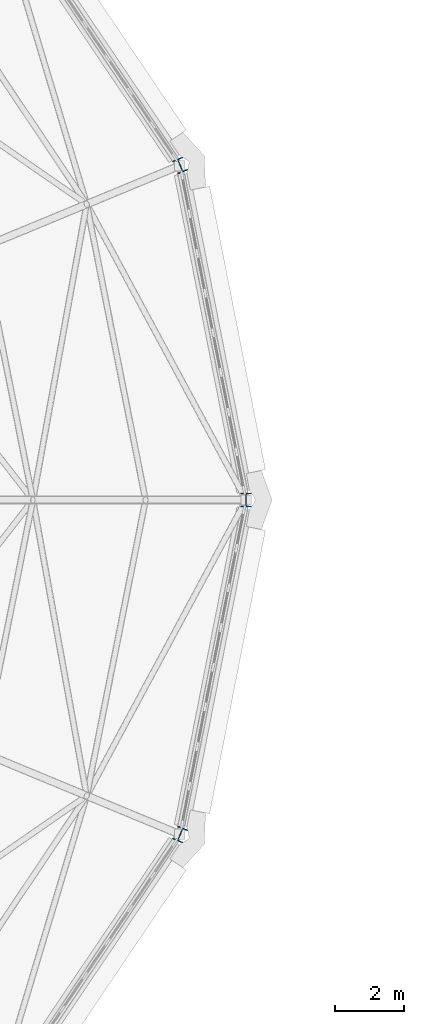
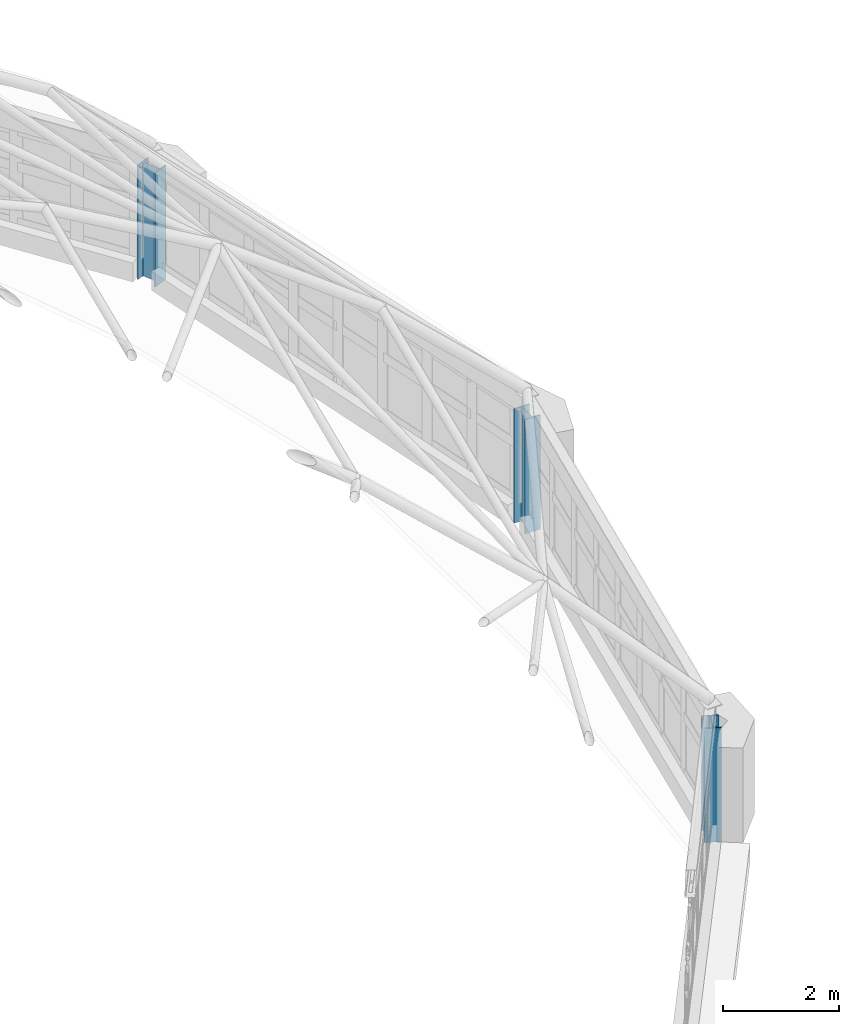
# One storey, part 3 of 68: 3 columns.
"""IFC4 building model written with IfcOpenShell, lengths in metres."""

import ifcopenshell
import ifcopenshell.guid

model = None  # the IFC model being written
_history = None  # IfcOwnerHistory: only IFC2X3 demands one
_inside = {}  # id of a spatial element -> (the spatial element, [elements in it])
_under = {}  # id of a project, library or spatial element -> (it, [spatial elements below it])
_declared = {}  # id of a project -> (the project, [libraries it declares])
_typed = {}  # id of a type object -> (the type object, [elements of that type])
_made_of = {}  # id of a material, layer set ... -> (it, [elements and type objects made of it])


def new_model(schema):
    """Start an empty IFC model of exactly this schema.

    Asked for "IFC4X3", IfcOpenShell would pick the latest addendum, in which some entities
    have other attributes; the version numbers below select the first issue.
    IFC2X3 requires an IfcOwnerHistory on every rooted entity: one is made here for all.
    """
    global model, _history
    if schema == "IFC4X3":
        model = ifcopenshell.file(schema_version=(4, 3, 0, 0))
    else:
        model = ifcopenshell.file(schema=schema)
    _inside.clear()
    _under.clear()
    _declared.clear()
    _typed.clear()
    _made_of.clear()
    _history = None
    if model.schema == "IFC2X3":
        org = make("IfcOrganization", Name="unknown")
        user = make(
            "IfcPersonAndOrganization",
            ThePerson=make("IfcPerson", FamilyName="unknown"),
            TheOrganization=org,
        )
        app = make(
            "IfcApplication",
            ApplicationDeveloper=org,
            Version="unknown",
            ApplicationFullName="unknown",
            ApplicationIdentifier="unknown",
        )
        _history = make(
            "IfcOwnerHistory",
            OwningUser=user,
            OwningApplication=app,
            ChangeAction="ADDED",
            CreationDate=0,
        )
    return model


def make(cls, **values):
    """One entity of the class cls with the attributes given. An attribute that is None is left unset."""
    return model.create_entity(
        cls, **{name: value for name, value in values.items() if value is not None}
    )


def rooted(cls, **values):
    """An entity with a GlobalId (a new one), such as an element, a storey or a relation."""
    return make(cls, GlobalId=ifcopenshell.guid.new(), OwnerHistory=_history, **values)


def si_unit(unit_type, name, prefix=None):
    """IfcSIUnit, for example si_unit("LENGTHUNIT", "METRE", prefix="MILLI")."""
    return make("IfcSIUnit", UnitType=unit_type, Prefix=prefix, Name=name)


def assignment(units):
    """IfcUnitAssignment: the units of a project."""
    return None if units is None else make("IfcUnitAssignment", Units=units)


def point(xyz):
    """IfcCartesianPoint."""
    return None if xyz is None else make("IfcCartesianPoint", Coordinates=xyz)


def direction(xyz):
    """IfcDirection."""
    return None if xyz is None else make("IfcDirection", DirectionRatios=xyz)


def frame(location, z_axis=None, x_axis=None):
    """IfcAxis2Placement3D, a coordinate frame: its origin and axes. An axis left out is left unset."""
    return make(
        "IfcAxis2Placement3D",
        Location=point(location),
        Axis=direction(z_axis),
        RefDirection=direction(x_axis),
    )


def frame_2d(location, x_axis=None):
    """IfcAxis2Placement2D, a coordinate frame in the plane: its origin and x axis."""
    return make(
        "IfcAxis2Placement2D", Location=point(location), RefDirection=direction(x_axis)
    )


def origin():
    """The frame at (0, 0, 0) with its axes left unset."""
    return frame((0.0, 0.0, 0.0))


def origin_2d():
    """The frame at (0, 0) in the plane with its x axis left unset."""
    return frame_2d((0.0, 0.0))


def place(relative_to, where):
    """IfcLocalPlacement: puts the frame where relative to a parent placement (None: the world)."""
    return make(
        "IfcLocalPlacement", PlacementRelTo=relative_to, RelativePlacement=where
    )


def context(
    kind, dimensions, precision=None, world=None, true_north=None, identifier=None
):
    """IfcGeometricRepresentationContext, for example the 3D "Model" context."""
    return make(
        "IfcGeometricRepresentationContext",
        ContextIdentifier=identifier,
        ContextType=kind,
        CoordinateSpaceDimension=dimensions,
        Precision=precision,
        WorldCoordinateSystem=world,
        TrueNorth=true_north,
    )


def subcontext(parent, identifier, kind, view, scale=None):
    """IfcGeometricRepresentationSubContext, for example "Body" below "Model"."""
    return make(
        "IfcGeometricRepresentationSubContext",
        ContextIdentifier=identifier,
        ContextType=kind,
        ParentContext=parent,
        TargetScale=scale,
        TargetView=view,
    )


def project(units=None, contexts=None):
    """IfcProject with its units and contexts."""
    return rooted(
        "IfcProject",
        Name="project",
        RepresentationContexts=contexts,
        UnitsInContext=assignment(units),
    )


def spatial(cls, under=None, at=None, **own):
    """A site, building, storey or space (cls), placed at a placement, below another one or the project."""
    s = rooted(cls, ObjectPlacement=at, **own)
    if under is not None:
        _under.setdefault(under.id(), (under, []))[1].append(s)
    return s


def profile(cls, at=None, kind="AREA", **sizes):
    """A parametric profile (cls). Its sizes go by their IFC names, for example OverallWidth=200.0."""
    return make(cls, ProfileType=kind, Position=at, **sizes)


def i_section(**sizes):
    """IfcIShapeProfileDef."""
    return profile("IfcIShapeProfileDef", **sizes)


def extrude(swept, where, along, depth):
    """IfcExtrudedAreaSolid: the profile swept, set in the frame where, extruded along a direction by depth."""
    return make(
        "IfcExtrudedAreaSolid",
        SweptArea=swept,
        Position=where,
        ExtrudedDirection=direction(along),
        Depth=depth,
    )


def shape(context_of_items, identifier, shape_type, items):
    """IfcShapeRepresentation: the items that make up one representation, for example the "Body"."""
    return make(
        "IfcShapeRepresentation",
        ContextOfItems=context_of_items,
        RepresentationIdentifier=identifier,
        RepresentationType=shape_type,
        Items=items,
    )


def material(Name=None, Category=None):
    """IfcMaterial."""
    return make("IfcMaterial", Name=Name, Category=Category)


def material_profile(
    of_material, cross_section, Name=None, Category=None, Priority=None
):
    """IfcMaterialProfile: a cross section and its material."""
    return make(
        "IfcMaterialProfile",
        Name=Name,
        Material=of_material,
        Profile=cross_section,
        Priority=Priority,
        Category=Category,
    )


def profile_set(profiles, Name=None, composite=None):
    """IfcMaterialProfileSet."""
    return make(
        "IfcMaterialProfileSet",
        Name=Name,
        MaterialProfiles=profiles,
        CompositeProfile=composite,
    )


def made_of(thing, what):
    """Note that an element or type object is made of a material, layer set ...; save() writes the relation."""
    if what is not None:
        _made_of.setdefault(what.id(), (what, []))[1].append(thing)
    return thing


def type_object(cls, material=None, **own):
    """A type object (cls), such as IfcWallType, which elements share."""
    return made_of(rooted(cls, **own), material)


def element(
    cls,
    number,
    at=None,
    inside=None,
    cuts=None,
    type_object=None,
    material=None,
    context=None,
    identifier="Body",
    shape_type=None,
    held_by="IfcProductDefinitionShape",
    body=None,
    shapes=None,
    **own,
):
    """One element of the class cls, such as IfcWall. Its Tag is "e" and its number.

    at: its placement. inside: the storey or other place that contains it. cuts: it is an
    opening in that element (IfcRelVoidsElement). A single representation is given by context,
    identifier, shape_type and body (its items); several are given by shapes. held_by: the class
    of the entity that holds the representations. save() writes the other relations.
    """
    e = rooted(cls, Tag="e%d" % number, ObjectPlacement=at, **own)
    if body is not None:
        shapes = [shape(context, identifier, shape_type, body)]
    if shapes is not None:
        e.Representation = make(held_by, Representations=shapes)
    if inside is not None:
        _inside.setdefault(inside.id(), (inside, []))[1].append(e)
    if cuts is not None:
        rooted(
            "IfcRelVoidsElement", RelatingBuildingElement=cuts, RelatedOpeningElement=e
        )
    if type_object is not None:
        _typed.setdefault(type_object.id(), (type_object, []))[1].append(e)
    return made_of(e, material)


def aggregate(whole, parts):
    """IfcRelAggregates: a whole, such as a stair, and the parts it consists of."""
    return rooted("IfcRelAggregates", RelatingObject=whole, RelatedObjects=parts)


def save(model, path):
    """Write the relations noted so far, then the file.

    IfcRelAggregates (storeys below a building ...), IfcRelContainedInSpatialStructure (elements
    in a storey), IfcRelDefinesByType, IfcRelAssociatesMaterial and IfcRelDeclares: one each for
    every whole, place, type object, material and project.
    """
    for whole, parts in _under.values():
        aggregate(whole, parts)
    for where, things in _inside.values():
        rooted(
            "IfcRelContainedInSpatialStructure",
            RelatedElements=things,
            RelatingStructure=where,
        )
    for kind, things in _typed.values():
        rooted("IfcRelDefinesByType", RelatedObjects=things, RelatingType=kind)
    for what, things in _made_of.values():
        rooted("IfcRelAssociatesMaterial", RelatedObjects=things, RelatingMaterial=what)
    for by, libraries in _declared.values():
        rooted("IfcRelDeclares", RelatingContext=by, RelatedDefinitions=libraries)
    model.write(path)


model = new_model("IFC4")

# Units and contexts
model_context = context("Model", 3, precision=1e-05, world=origin(), true_north=direction((0.0, 1.0)))
body_context = subcontext(model_context, "Body", "Model", "MODEL_VIEW")
ifc_project = project(units=[si_unit("LENGTHUNIT", "METRE"), si_unit("AREAUNIT", "SQUARE_METRE"), si_unit("VOLUMEUNIT", "CUBIC_METRE"), si_unit("PLANEANGLEUNIT", "RADIAN"), si_unit("MASSUNIT", "GRAM", prefix="KILO")], contexts=[model_context])

# Site, building, storey
site_placement = place(None, origin())
site = spatial("IfcSite", under=ifc_project, at=site_placement, CompositionType="ELEMENT")
building_placement = place(site_placement, origin())
building = spatial("IfcBuilding", under=site, at=building_placement, Name="Kupolbacken Congress Centre", CompositionType="ELEMENT")
storey_placement = place(building_placement, frame((0.0, 0.0, 25.199951171875)))
storey = spatial("IfcBuildingStorey", under=building, at=storey_placement, Name="L07", CompositionType="ELEMENT", Elevation=25.199951171875)

# Columns
ifc_material = material(Name="Steel S355", Category="steel")
ifc_material_profile = material_profile(ifc_material, i_section(OverallWidth=0.300048828125, OverallDepth=0.39990234375, WebThickness=0.013427734375, FlangeThickness=0.02392578125, FilletRadius=0.027099609375, at=origin_2d()), Name="HEB 400")
ifc_profile_set = profile_set([ifc_material_profile], Name="Steel S355")
column_type = type_object("IfcColumnType", Name="C08 column HEB 400", PredefinedType="COLUMN", material=ifc_profile_set)
for number, where, z_axis, x_axis, name in (
    (1, (68.39990234375, 86.39990234375, 0.0), (0.0, 0.0, 1.0), (1.0, 0.0, 0.0), "S/col/C-D01/L07"),
    (2, (66.5, 96.050048828125, 0.0), (0.0, 0.0, 1.0), (0.923896018243, 0.382643629864, 0.0), "S/col/C-D02/L07"),
    (3, (66.5, 76.75, 0.0), (0.0, 0.0, 1.0), (0.923896018243, -0.382643629864, 0.0), "S/col/C-D16/L07"),
):
    element("IfcColumn", number, at=place(storey_placement, frame(where, z_axis=z_axis, x_axis=x_axis)), inside=storey, type_object=column_type, Name=name, PredefinedType="COLUMN", context=body_context, shape_type="SweptSolid", body=[
        extrude(i_section(OverallWidth=0.300048828125, OverallDepth=0.39990234375, WebThickness=0.013427734375, FlangeThickness=0.02392578125, FilletRadius=0.027099609375, at=origin_2d()), origin(), (0.0, 0.0, 1.0), 2.400146484375),
    ])

save(model, "model.ifc")
